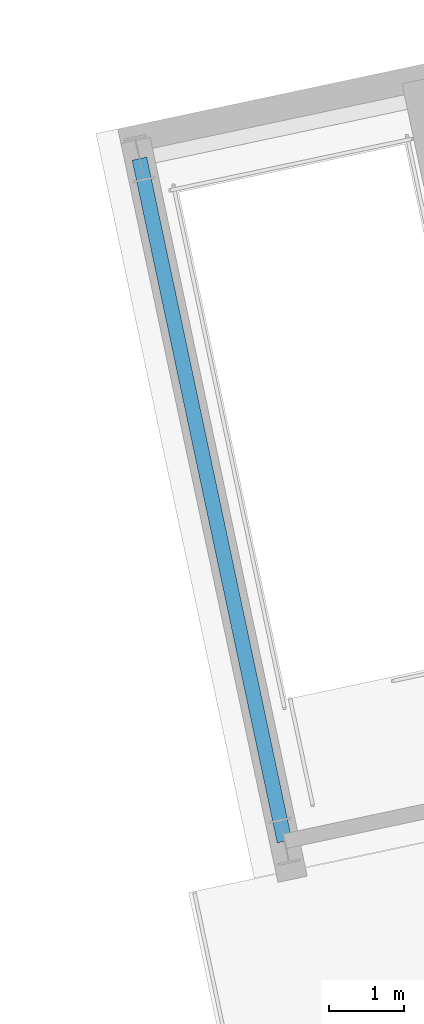
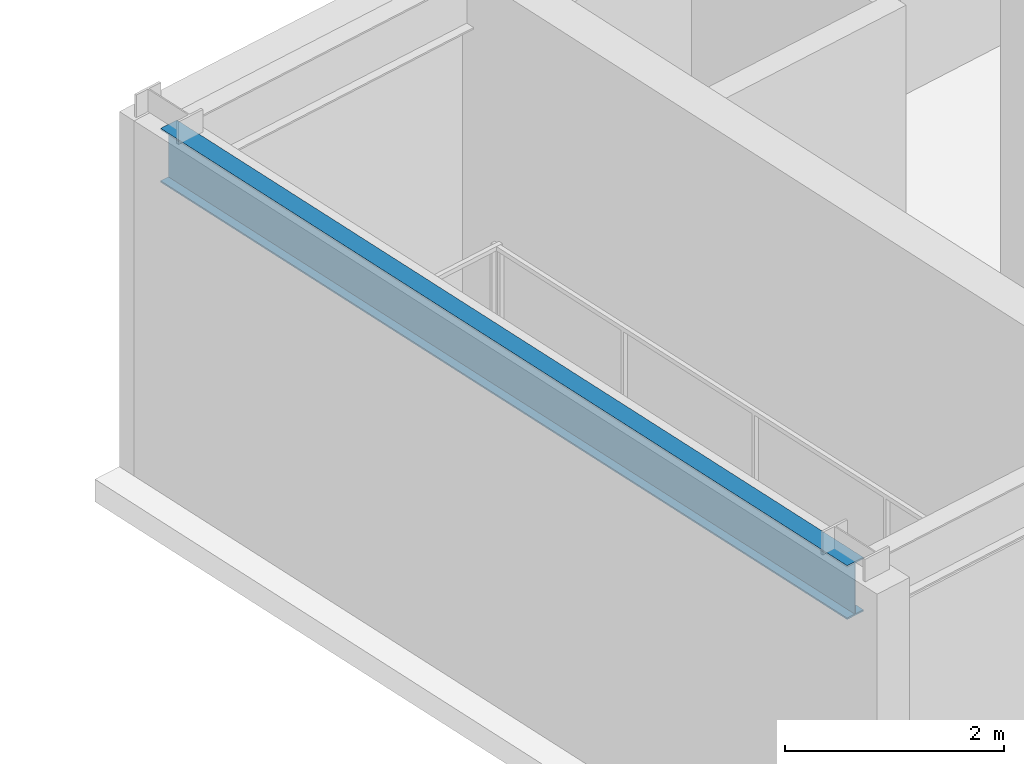
# One storey, part 5 of 16: 1 beam.
"""IFC4 building model written with IfcOpenShell, lengths in metres."""

import ifcopenshell
import ifcopenshell.guid

model = None  # the IFC model being written
_history = None  # IfcOwnerHistory: only IFC2X3 demands one
_inside = {}  # id of a spatial element -> (the spatial element, [elements in it])
_under = {}  # id of a project, library or spatial element -> (it, [spatial elements below it])
_declared = {}  # id of a project -> (the project, [libraries it declares])
_typed = {}  # id of a type object -> (the type object, [elements of that type])
_made_of = {}  # id of a material, layer set ... -> (it, [elements and type objects made of it])


def new_model(schema):
    """Start an empty IFC model of exactly this schema.

    Asked for "IFC4X3", IfcOpenShell would pick the latest addendum, in which some entities
    have other attributes; the version numbers below select the first issue.
    IFC2X3 requires an IfcOwnerHistory on every rooted entity: one is made here for all.
    """
    global model, _history
    if schema == "IFC4X3":
        model = ifcopenshell.file(schema_version=(4, 3, 0, 0))
    else:
        model = ifcopenshell.file(schema=schema)
    _inside.clear()
    _under.clear()
    _declared.clear()
    _typed.clear()
    _made_of.clear()
    _history = None
    if model.schema == "IFC2X3":
        org = make("IfcOrganization", Name="unknown")
        user = make(
            "IfcPersonAndOrganization",
            ThePerson=make("IfcPerson", FamilyName="unknown"),
            TheOrganization=org,
        )
        app = make(
            "IfcApplication",
            ApplicationDeveloper=org,
            Version="unknown",
            ApplicationFullName="unknown",
            ApplicationIdentifier="unknown",
        )
        _history = make(
            "IfcOwnerHistory",
            OwningUser=user,
            OwningApplication=app,
            ChangeAction="ADDED",
            CreationDate=0,
        )
    return model


def make(cls, **values):
    """One entity of the class cls with the attributes given. An attribute that is None is left unset."""
    return model.create_entity(
        cls, **{name: value for name, value in values.items() if value is not None}
    )


def rooted(cls, **values):
    """An entity with a GlobalId (a new one), such as an element, a storey or a relation."""
    return make(cls, GlobalId=ifcopenshell.guid.new(), OwnerHistory=_history, **values)


def si_unit(unit_type, name, prefix=None):
    """IfcSIUnit, for example si_unit("LENGTHUNIT", "METRE", prefix="MILLI")."""
    return make("IfcSIUnit", UnitType=unit_type, Prefix=prefix, Name=name)


def assignment(units):
    """IfcUnitAssignment: the units of a project."""
    return None if units is None else make("IfcUnitAssignment", Units=units)


def point(xyz):
    """IfcCartesianPoint."""
    return None if xyz is None else make("IfcCartesianPoint", Coordinates=xyz)


def direction(xyz):
    """IfcDirection."""
    return None if xyz is None else make("IfcDirection", DirectionRatios=xyz)


def frame(location, z_axis=None, x_axis=None):
    """IfcAxis2Placement3D, a coordinate frame: its origin and axes. An axis left out is left unset."""
    return make(
        "IfcAxis2Placement3D",
        Location=point(location),
        Axis=direction(z_axis),
        RefDirection=direction(x_axis),
    )


def frame_2d(location, x_axis=None):
    """IfcAxis2Placement2D, a coordinate frame in the plane: its origin and x axis."""
    return make(
        "IfcAxis2Placement2D", Location=point(location), RefDirection=direction(x_axis)
    )


def origin():
    """The frame at (0, 0, 0) with its axes left unset."""
    return frame((0.0, 0.0, 0.0))


def origin_2d():
    """The frame at (0, 0) in the plane with its x axis left unset."""
    return frame_2d((0.0, 0.0))


def place(relative_to, where):
    """IfcLocalPlacement: puts the frame where relative to a parent placement (None: the world)."""
    return make(
        "IfcLocalPlacement", PlacementRelTo=relative_to, RelativePlacement=where
    )


def context(
    kind, dimensions, precision=None, world=None, true_north=None, identifier=None
):
    """IfcGeometricRepresentationContext, for example the 3D "Model" context."""
    return make(
        "IfcGeometricRepresentationContext",
        ContextIdentifier=identifier,
        ContextType=kind,
        CoordinateSpaceDimension=dimensions,
        Precision=precision,
        WorldCoordinateSystem=world,
        TrueNorth=true_north,
    )


def subcontext(parent, identifier, kind, view, scale=None):
    """IfcGeometricRepresentationSubContext, for example "Body" below "Model"."""
    return make(
        "IfcGeometricRepresentationSubContext",
        ContextIdentifier=identifier,
        ContextType=kind,
        ParentContext=parent,
        TargetScale=scale,
        TargetView=view,
    )


def project(units=None, contexts=None):
    """IfcProject with its units and contexts."""
    return rooted(
        "IfcProject",
        Name="project",
        RepresentationContexts=contexts,
        UnitsInContext=assignment(units),
    )


def spatial(cls, under=None, at=None, **own):
    """A site, building, storey or space (cls), placed at a placement, below another one or the project."""
    s = rooted(cls, ObjectPlacement=at, **own)
    if under is not None:
        _under.setdefault(under.id(), (under, []))[1].append(s)
    return s


def profile(cls, at=None, kind="AREA", **sizes):
    """A parametric profile (cls). Its sizes go by their IFC names, for example OverallWidth=200.0."""
    return make(cls, ProfileType=kind, Position=at, **sizes)


def i_section(**sizes):
    """IfcIShapeProfileDef."""
    return profile("IfcIShapeProfileDef", **sizes)


def extrude(swept, where, along, depth):
    """IfcExtrudedAreaSolid: the profile swept, set in the frame where, extruded along a direction by depth."""
    return make(
        "IfcExtrudedAreaSolid",
        SweptArea=swept,
        Position=where,
        ExtrudedDirection=direction(along),
        Depth=depth,
    )


def shape(context_of_items, identifier, shape_type, items):
    """IfcShapeRepresentation: the items that make up one representation, for example the "Body"."""
    return make(
        "IfcShapeRepresentation",
        ContextOfItems=context_of_items,
        RepresentationIdentifier=identifier,
        RepresentationType=shape_type,
        Items=items,
    )


def material(Name=None, Category=None):
    """IfcMaterial."""
    return make("IfcMaterial", Name=Name, Category=Category)


def material_profile(
    of_material, cross_section, Name=None, Category=None, Priority=None
):
    """IfcMaterialProfile: a cross section and its material."""
    return make(
        "IfcMaterialProfile",
        Name=Name,
        Material=of_material,
        Profile=cross_section,
        Priority=Priority,
        Category=Category,
    )


def profile_set(profiles, Name=None, composite=None):
    """IfcMaterialProfileSet."""
    return make(
        "IfcMaterialProfileSet",
        Name=Name,
        MaterialProfiles=profiles,
        CompositeProfile=composite,
    )


def made_of(thing, what):
    """Note that an element or type object is made of a material, layer set ...; save() writes the relation."""
    if what is not None:
        _made_of.setdefault(what.id(), (what, []))[1].append(thing)
    return thing


def type_object(cls, material=None, **own):
    """A type object (cls), such as IfcWallType, which elements share."""
    return made_of(rooted(cls, **own), material)


def element(
    cls,
    number,
    at=None,
    inside=None,
    cuts=None,
    type_object=None,
    material=None,
    context=None,
    identifier="Body",
    shape_type=None,
    held_by="IfcProductDefinitionShape",
    body=None,
    shapes=None,
    **own,
):
    """One element of the class cls, such as IfcWall. Its Tag is "e" and its number.

    at: its placement. inside: the storey or other place that contains it. cuts: it is an
    opening in that element (IfcRelVoidsElement). A single representation is given by context,
    identifier, shape_type and body (its items); several are given by shapes. held_by: the class
    of the entity that holds the representations. save() writes the other relations.
    """
    e = rooted(cls, Tag="e%d" % number, ObjectPlacement=at, **own)
    if body is not None:
        shapes = [shape(context, identifier, shape_type, body)]
    if shapes is not None:
        e.Representation = make(held_by, Representations=shapes)
    if inside is not None:
        _inside.setdefault(inside.id(), (inside, []))[1].append(e)
    if cuts is not None:
        rooted(
            "IfcRelVoidsElement", RelatingBuildingElement=cuts, RelatedOpeningElement=e
        )
    if type_object is not None:
        _typed.setdefault(type_object.id(), (type_object, []))[1].append(e)
    return made_of(e, material)


def aggregate(whole, parts):
    """IfcRelAggregates: a whole, such as a stair, and the parts it consists of."""
    return rooted("IfcRelAggregates", RelatingObject=whole, RelatedObjects=parts)


def save(model, path):
    """Write the relations noted so far, then the file.

    IfcRelAggregates (storeys below a building ...), IfcRelContainedInSpatialStructure (elements
    in a storey), IfcRelDefinesByType, IfcRelAssociatesMaterial and IfcRelDeclares: one each for
    every whole, place, type object, material and project.
    """
    for whole, parts in _under.values():
        aggregate(whole, parts)
    for where, things in _inside.values():
        rooted(
            "IfcRelContainedInSpatialStructure",
            RelatedElements=things,
            RelatingStructure=where,
        )
    for kind, things in _typed.values():
        rooted("IfcRelDefinesByType", RelatedObjects=things, RelatingType=kind)
    for what, things in _made_of.values():
        rooted("IfcRelAssociatesMaterial", RelatedObjects=things, RelatingMaterial=what)
    for by, libraries in _declared.values():
        rooted("IfcRelDeclares", RelatingContext=by, RelatedDefinitions=libraries)
    model.write(path)


model = new_model("IFC4")

# Units and contexts
model_context = context("Model", 3, precision=1e-05, world=origin(), true_north=direction((0.0, 1.0)))
body_context = subcontext(model_context, "Body", "Model", "MODEL_VIEW")
ifc_project = project(units=[si_unit("LENGTHUNIT", "METRE"), si_unit("AREAUNIT", "SQUARE_METRE"), si_unit("VOLUMEUNIT", "CUBIC_METRE"), si_unit("PLANEANGLEUNIT", "RADIAN"), si_unit("MASSUNIT", "GRAM", prefix="KILO")], contexts=[model_context])

# Site, building, storey
site_placement = place(None, origin())
site = spatial("IfcSite", under=ifc_project, at=site_placement, CompositionType="ELEMENT")
building_placement = place(site_placement, origin())
building = spatial("IfcBuilding", under=site, at=building_placement, Name="Haevon Station Towers", CompositionType="ELEMENT")
storey_placement = place(building_placement, frame((0.0, 0.0, 235.199951171875)))
storey = spatial("IfcBuildingStorey", under=building, at=storey_placement, Name="L65", CompositionType="ELEMENT", Elevation=235.199951171875)

# Beam
ifc_material = material(Name="Steel S355", Category="steel")
ifc_material_profile = material_profile(ifc_material, i_section(OverallWidth=0.199951171875, OverallDepth=0.60009765625, WebThickness=0.010986328125, FlangeThickness=0.01708984375, at=origin_2d()), Name="H-600x200x11x17")
ifc_profile_set = profile_set([ifc_material_profile], Name="Steel S355")
beam_type = type_object("IfcBeamType", Name="BM-G600", PredefinedType="BEAM", material=ifc_profile_set)
beam_placement = place(storey_placement, frame((96.808349609375, 46.588134765625, 3.650146484375), z_axis=(0.207922149488, -0.978145377616, 0.0), x_axis=(0.978145377616, 0.207922149488, 0.0)))
element("IfcBeam", 1, at=beam_placement, inside=storey, type_object=beam_type, Name="BM-T2-HH-L65-4", PredefinedType="BEAM", context=body_context, shape_type="SweptSolid", body=[
    extrude(i_section(OverallWidth=0.199951171875, OverallDepth=0.60009765625, WebThickness=0.010986328125, FlangeThickness=0.01708984375, at=origin_2d()), origin(), (0.0, 0.0, 1.0), 9.35009765625),
])

save(model, "model.ifc")
